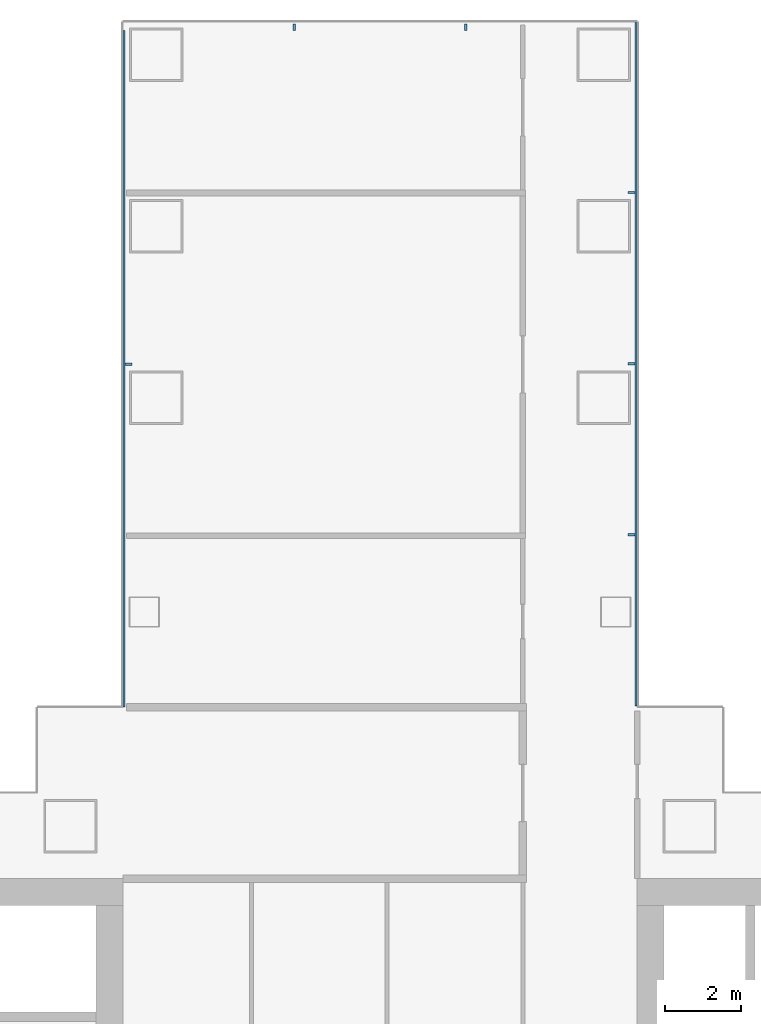
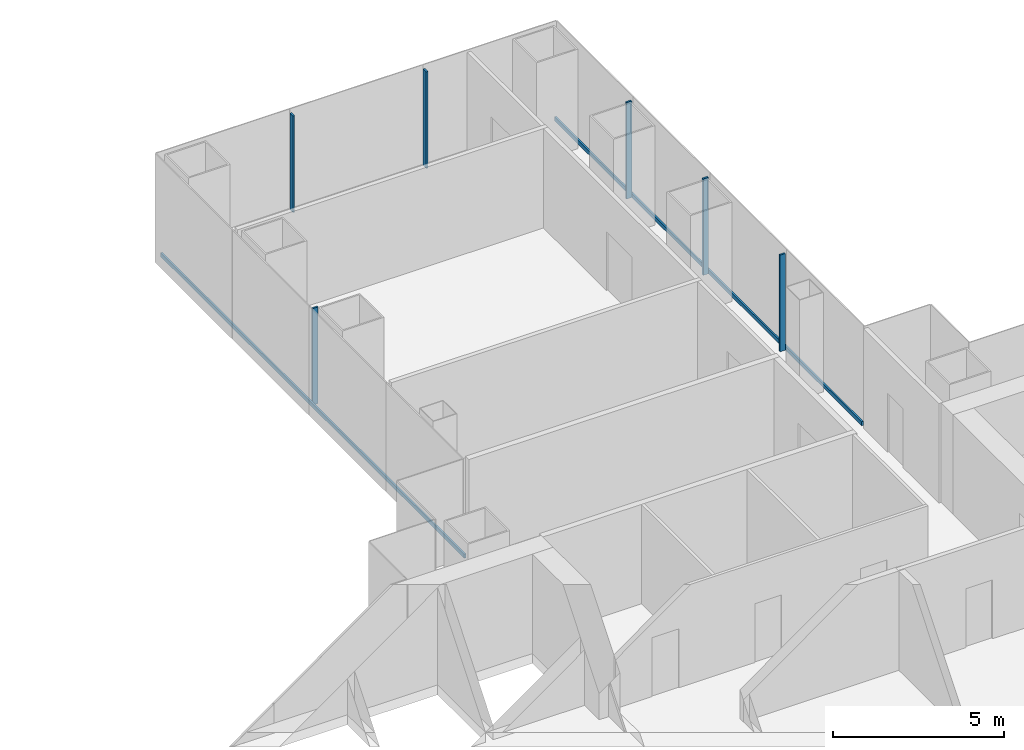
# One storey, part 9 of 21: 8 members, 3 elements without a shape of their own.
"""IFC4 building model written with IfcOpenShell, lengths in metres."""

from ifc_helpers import new_model, si_unit, direction, frame, origin, origin_2d, place, context, subcontext, project, spatial, rectangle, extrude, material, layer, layer_set, material_profile, profile_set, type_object, element, aggregate, save


model = new_model("IFC4")

# Units and contexts
model_context = context("Model", 3, precision=1e-05, world=origin(), true_north=direction((0.0, 1.0)))
body_context = subcontext(model_context, "Body", "Model", "MODEL_VIEW")
ifc_project = project(units=[si_unit("LENGTHUNIT", "METRE"), si_unit("AREAUNIT", "SQUARE_METRE"), si_unit("VOLUMEUNIT", "CUBIC_METRE"), si_unit("PLANEANGLEUNIT", "RADIAN"), si_unit("MASSUNIT", "GRAM", prefix="KILO")], contexts=[model_context])

# Site, building, storey
site_placement = place(None, origin())
site = spatial("IfcSite", under=ifc_project, at=site_placement, CompositionType="ELEMENT")
building_placement = place(site_placement, origin())
building = spatial("IfcBuilding", under=site, at=building_placement, Name="Shamsa Quay Exchange Towers", CompositionType="ELEMENT")
storey_placement = place(building_placement, frame((0.0, 0.0, 42.0)))
storey = spatial("IfcBuildingStorey", under=building, at=storey_placement, Name="L08", CompositionType="ELEMENT", Elevation=42.0)

# Curtain wall, members
ifc_material = material(Name="Aluminium EN AW-6063 T6, black anodised", Category="aluminium")
ifc_layer = layer(ifc_material, 0.280029296875)
ifc_layer_set = layer_set([ifc_layer], Name="CW-1 UNITISED VISION GLASS")
curtain_wall_type = type_object("IfcCurtainWallType", Name="CW-1 UNITISED VISION GLASS", PredefinedType="NOTDEFINED", material=ifc_layer_set)
curtain_wall_1_placement = place(storey_placement, origin())
curtain_wall_1 = element("IfcCurtainWall", 1, at=curtain_wall_1_placement, inside=storey, type_object=curtain_wall_type, Name="CW1 T2-FLK-U+S L08", PredefinedType="NOTDEFINED")
ifc_material_profile_1 = material_profile(ifc_material, rectangle(XDim=0.179931640625, YDim=0.06005859375, at=origin_2d()), Name="MU60x180")
ifc_profile_set_1 = profile_set([ifc_material_profile_1], Name="Aluminium EN AW-6063 T6, black anodised")
member_type_1 = type_object("IfcMemberType", Name="CW1 MULLION 60x180", PredefinedType="MULLION", material=ifc_profile_set_1)
member_1_placement = place(storey_placement, frame((40.35009765625, 15.778564453125, 0.0), z_axis=(0.0, 0.0, 1.0), x_axis=(-1.0, 0.0, 0.0)))
member_1 = element("IfcMember", 2, at=member_1_placement, type_object=member_type_1, Name="CW1 mullion", PredefinedType="MULLION", context=body_context, shape_type="SweptSolid", body=[
    extrude(rectangle(XDim=0.179931640625, YDim=0.06005859375, at=origin_2d()), origin(), (0.0, 0.0, 1.0), 3.449951171875),
])
member_2_placement = place(storey_placement, frame((40.35009765625, 20.26904296875, 0.0), z_axis=(0.0, 0.0, 1.0), x_axis=(-1.0, 0.0, 0.0)))
member_2 = element("IfcMember", 3, at=member_2_placement, type_object=member_type_1, Name="CW1 mullion", PredefinedType="MULLION", context=body_context, shape_type="SweptSolid", body=[
    extrude(rectangle(XDim=0.179931640625, YDim=0.06005859375, at=origin_2d()), origin(), (0.0, 0.0, 1.0), 3.449951171875),
])
member_3_placement = place(storey_placement, frame((40.35009765625, 24.759521484375, 0.0), z_axis=(0.0, 0.0, 1.0), x_axis=(-1.0, 0.0, 0.0)))
member_3 = element("IfcMember", 4, at=member_3_placement, type_object=member_type_1, Name="CW1 mullion", PredefinedType="MULLION", context=body_context, shape_type="SweptSolid", body=[
    extrude(rectangle(XDim=0.179931640625, YDim=0.06005859375, at=origin_2d()), origin(), (0.0, 0.0, 1.0), 3.449951171875),
])

curtain_wall_2_placement = place(storey_placement, origin())
curtain_wall_2 = element("IfcCurtainWall", 5, at=curtain_wall_2_placement, inside=storey, type_object=curtain_wall_type, Name="CW1 T2-END-U+ L08", PredefinedType="NOTDEFINED")
member_4_placement = place(storey_placement, frame((36.0, 29.10009765625, 0.0), z_axis=(0.0, 0.0, 1.0), x_axis=(0.0, -1.0, 0.0)))
member_4 = element("IfcMember", 6, at=member_4_placement, type_object=member_type_1, Name="CW1 mullion", PredefinedType="MULLION", context=body_context, shape_type="SweptSolid", body=[
    extrude(rectangle(XDim=0.179931640625, YDim=0.06005859375, at=origin_2d()), origin(), (0.0, 0.0, 1.0), 3.449951171875),
])
member_5_placement = place(storey_placement, frame((31.5, 29.10009765625, 0.0), z_axis=(0.0, 0.0, 1.0), x_axis=(0.0, -1.0, 0.0)))
member_5 = element("IfcMember", 7, at=member_5_placement, type_object=member_type_1, Name="CW1 mullion", PredefinedType="MULLION", context=body_context, shape_type="SweptSolid", body=[
    extrude(rectangle(XDim=0.179931640625, YDim=0.06005859375, at=origin_2d()), origin(), (0.0, 0.0, 1.0), 3.449951171875),
])
aggregate(curtain_wall_2, [member_4, member_5])

# Curtain wall, member
curtain_wall_3_placement = place(storey_placement, origin())
curtain_wall_3 = element("IfcCurtainWall", 8, at=curtain_wall_3_placement, inside=storey, type_object=curtain_wall_type, Name="CW1 T2-FLK-U+N L08", PredefinedType="NOTDEFINED")
member_6_placement = place(storey_placement, frame((27.14990234375, 20.25, 0.0)))
member_6 = element("IfcMember", 9, at=member_6_placement, type_object=member_type_1, Name="CW1 mullion", PredefinedType="MULLION", context=body_context, shape_type="SweptSolid", body=[
    extrude(rectangle(XDim=0.179931640625, YDim=0.06005859375, at=origin_2d()), origin(), (0.0, 0.0, 1.0), 3.449951171875),
])

# Member
ifc_material_profile_2 = material_profile(ifc_material, rectangle(XDim=0.06005859375, YDim=0.139892578125, at=origin_2d()), Name="TR140x60")
ifc_profile_set_2 = profile_set([ifc_material_profile_2], Name="Aluminium EN AW-6063 T6, black anodised")
member_type_2 = type_object("IfcMemberType", Name="CW1 TRANSOM 140x60", PredefinedType="USERDEFINED", material=ifc_profile_set_2)
member_7_placement = place(storey_placement, frame((40.469970703125, 11.2880859375, 0.070068359375), z_axis=(0.0, 1.0, 0.0), x_axis=(-1.0, 0.0, 0.0)))
member_7 = element("IfcMember", 10, at=member_7_placement, type_object=member_type_2, Name="CW1 transom", ObjectType="TRANSOM", PredefinedType="USERDEFINED", context=body_context, shape_type="SweptSolid", body=[
    extrude(rectangle(XDim=0.06005859375, YDim=0.139892578125, at=origin_2d()), origin(), (0.0, 0.0, 1.0), 17.9619140625),
])

aggregate(curtain_wall_1, [member_7, member_1, member_2, member_3])

member_8_placement = place(storey_placement, frame((27.030029296875, 29.008056640625, 0.070068359375), z_axis=(0.0, -1.0, 0.0), x_axis=(1.0, 0.0, 0.0)))
member_8 = element("IfcMember", 11, at=member_8_placement, type_object=member_type_2, Name="CW1 transom", ObjectType="TRANSOM", PredefinedType="USERDEFINED", context=body_context, shape_type="SweptSolid", body=[
    extrude(rectangle(XDim=0.06005859375, YDim=0.139892578125, at=origin_2d()), origin(), (0.0, 0.0, 1.0), 17.758056640625),
])

aggregate(curtain_wall_3, [member_8, member_6])

save(model, "model.ifc")
